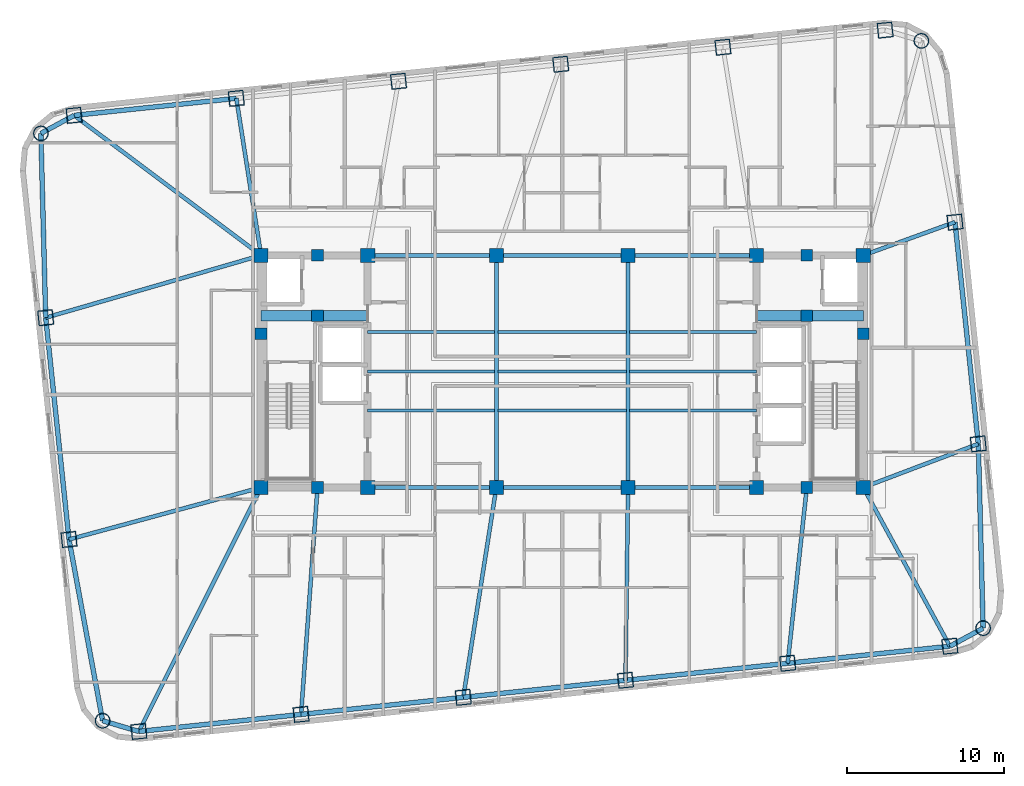
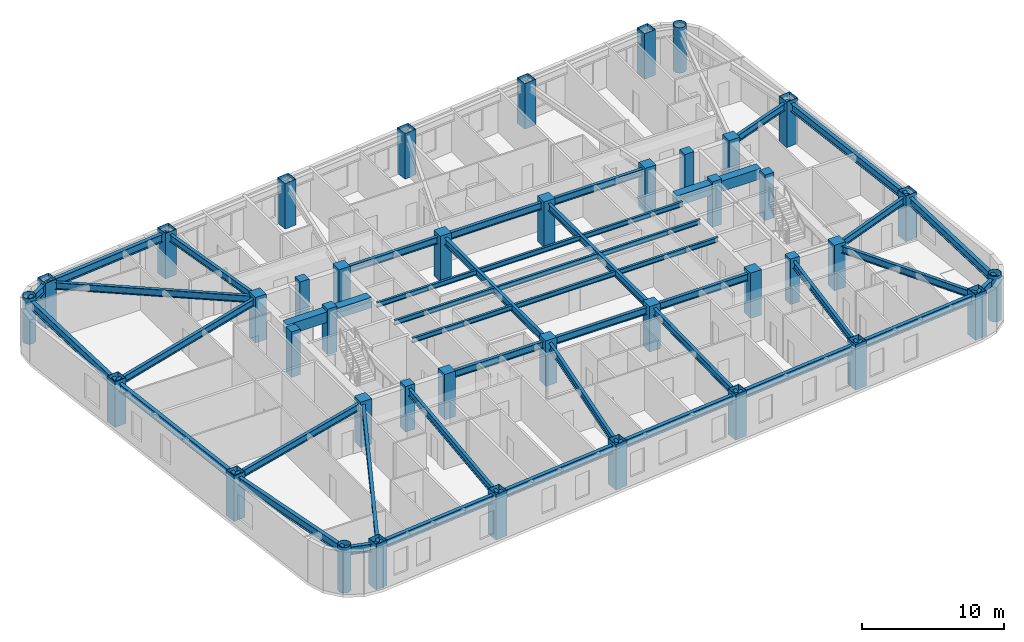
# One storey, part 1 of 12: 45 beams, 40 columns.
"""IFC4 building model written with IfcOpenShell, lengths in metres."""

from ifc_helpers import new_model, si_unit, direction, frame, origin, origin_2d, place, context, subcontext, project, spatial, rectangle, hollow_rectangle, hollow_circle, i_section, extrude, material, material_profile, profile_set, type_object, element, save


model = new_model("IFC4")

# Units and contexts
model_context = context("Model", 3, precision=1e-05, world=origin(), true_north=direction((0.0, 1.0)))
body_context = subcontext(model_context, "Body", "Model", "MODEL_VIEW")
ifc_project = project(units=[si_unit("LENGTHUNIT", "METRE"), si_unit("AREAUNIT", "SQUARE_METRE"), si_unit("VOLUMEUNIT", "CUBIC_METRE"), si_unit("PLANEANGLEUNIT", "RADIAN"), si_unit("MASSUNIT", "GRAM", prefix="KILO")], contexts=[model_context])

# Site, building, storey
site_placement = place(None, origin())
site = spatial("IfcSite", under=ifc_project, at=site_placement, CompositionType="ELEMENT")
building_placement = place(site_placement, origin())
building = spatial("IfcBuilding", under=site, at=building_placement, Name="Voryun Gate Residences", CompositionType="ELEMENT")
storey_placement = place(building_placement, frame((0.0, 0.0, 159.89990234375)))
storey = spatial("IfcBuildingStorey", under=building, at=storey_placement, Name="L39", CompositionType="ELEMENT", Elevation=159.89990234375)

# Columns
ifc_material_1 = material(Name="Concrete C50/60", Category="concrete")
ifc_material_profile_1 = material_profile(ifc_material_1, rectangle(XDim=0.75, YDim=0.75, at=origin_2d()), Name="RC-750x750")
ifc_profile_set_1 = profile_set([ifc_material_profile_1], Name="Concrete C50/60")
column_type_1 = type_object("IfcColumnType", Name="COL_CORE_750", PredefinedType="COLUMN", material=ifc_profile_set_1)
for number, where, z_axis, x_axis, name in (
    (1, (-19.199951171875, 2.39990234375, 0.0), (0.0, 0.0, 1.0), (1.0, 0.0, 0.0), "L39 Core boundary column WC-MW"),
    (2, (-15.60009765625, -7.39990234375, 0.0), (0.0, 0.0, 1.0), (1.0, 0.0, 0.0), "L39 Core boundary column WC-SM"),
    (3, (-15.60009765625, 7.39990234375, 0.0), (0.0, 0.0, 1.0), (1.0, 0.0, 0.0), "L39 Core boundary column WC-NM"),
    (4, (-15.60009765625, 3.550048828125, 0.0), (0.0, 0.0, 1.0), (1.0, 0.0, 0.0), "L39 Core boundary column WC-MM"),
    (5, (15.60009765625, 3.550048828125, 0.0), (0.0, 0.0, 1.0), (1.0, 0.0, 0.0), "L39 Core boundary column EC-MM"),
    (6, (15.60009765625, -7.39990234375, 0.0), (0.0, 0.0, 1.0), (1.0, 0.0, 0.0), "L39 Core boundary column EC-SM"),
    (7, (15.60009765625, 7.39990234375, 0.0), (0.0, 0.0, 1.0), (1.0, 0.0, 0.0), "L39 Core boundary column EC-NM"),
    (8, (19.199951171875, 2.39990234375, 0.0), (0.0, 0.0, 1.0), (1.0, 0.0, 0.0), "L39 Core boundary column EC-ME"),
):
    element("IfcColumn", number, at=place(storey_placement, frame(where, z_axis=z_axis, x_axis=x_axis)), inside=storey, type_object=column_type_1, Name=name, PredefinedType="COLUMN", context=body_context, shape_type="SweptSolid", body=[
        extrude(rectangle(XDim=0.75, YDim=0.75, at=origin_2d()), origin(), (0.0, 0.0, 1.0), 3.900146484375),
    ])
ifc_material_2 = material(Name="Concrete C50/60", Category="concrete")
ifc_material_profile_2 = material_profile(ifc_material_2, rectangle(XDim=0.89990234375, YDim=0.89990234375, at=origin_2d()), Name="RC-900x900")
ifc_profile_set_2 = profile_set([ifc_material_profile_2], Name="Concrete C50/60")
column_type_2 = type_object("IfcColumnType", Name="COL_CORE_900", PredefinedType="COLUMN", material=ifc_profile_set_2)
for number, where, z_axis, x_axis, name in (
    (9, (-19.199951171875, -7.39990234375, 0.0), (0.0, 0.0, 1.0), (1.0, 0.0, 0.0), "L39 Core boundary column WC-SW"),
    (10, (-19.199951171875, 7.39990234375, 0.0), (0.0, 0.0, 1.0), (1.0, 0.0, 0.0), "L39 Core boundary column WC-NW"),
    (11, (-12.39990234375, -7.39990234375, 0.0), (0.0, 0.0, 1.0), (1.0, 0.0, 0.0), "L39 Core boundary column WC-SE"),
    (12, (-12.39990234375, 7.39990234375, 0.0), (0.0, 0.0, 1.0), (1.0, 0.0, 0.0), "L39 Core boundary column WC-NE"),
    (13, (12.39990234375, -7.39990234375, 0.0), (0.0, 0.0, 1.0), (1.0, 0.0, 0.0), "L39 Core boundary column EC-SW"),
    (14, (12.39990234375, 7.39990234375, 0.0), (0.0, 0.0, 1.0), (1.0, 0.0, 0.0), "L39 Core boundary column EC-NW"),
    (15, (19.199951171875, -7.39990234375, 0.0), (0.0, 0.0, 1.0), (1.0, 0.0, 0.0), "L39 Core boundary column EC-SE"),
    (16, (19.199951171875, 7.39990234375, 0.0), (0.0, 0.0, 1.0), (1.0, 0.0, 0.0), "L39 Core boundary column EC-NE"),
    (17, (-4.199951171875, -7.39990234375, 0.0), (0.0, 0.0, 1.0), (1.0, 0.0, 0.0), "L39 Interior spine column SP-WS"),
    (18, (-4.199951171875, 7.39990234375, 0.0), (0.0, 0.0, 1.0), (1.0, 0.0, 0.0), "L39 Interior spine column SP-WN"),
    (19, (4.199951171875, -7.39990234375, 0.0), (0.0, 0.0, 1.0), (1.0, 0.0, 0.0), "L39 Interior spine column SP-ES"),
    (20, (4.199951171875, 7.39990234375, 0.0), (0.0, 0.0, 1.0), (1.0, 0.0, 0.0), "L39 Interior spine column SP-EN"),
):
    element("IfcColumn", number, at=place(storey_placement, frame(where, z_axis=z_axis, x_axis=x_axis)), inside=storey, type_object=column_type_2, Name=name, PredefinedType="COLUMN", context=body_context, shape_type="SweptSolid", body=[
        extrude(rectangle(XDim=0.89990234375, YDim=0.89990234375, at=origin_2d()), origin(), (0.0, 0.0, 1.0), 3.900146484375),
    ])
ifc_material_3 = material(Name="Steel SM420", Category="steel")
ifc_material_profile_3 = material_profile(ifc_material_3, hollow_circle(Radius=0.47509765625, WallThickness=0.031982421875, at=origin_2d()), Name="CHS-950x32")
ifc_profile_set_3 = profile_set([ifc_material_profile_3], Name="Steel SM420")
column_type_3 = type_object("IfcColumnType", Name="COL_CRN_950", PredefinedType="COLUMN", material=ifc_profile_set_3)
for number, where, z_axis, x_axis, name in (
    (21, (26.8408203125, -16.373779296875, 0.0), (0.0, 0.0, 1.0), (0.994521895368, 0.104528463268, 0.0), "L39 Exoskeleton column CSE"),
    (22, (22.90478515625, 21.07470703125, 0.0), (0.0, 0.0, 1.0), (0.994521895368, 0.104528463268, 0.0), "L39 Exoskeleton column CNE"),
    (23, (-33.24072265625, 15.173583984375, 0.0), (0.0, 0.0, 1.0), (0.994521895368, 0.104528463268, 0.0), "L39 Exoskeleton column CNW"),
    (24, (-29.3046875, -22.27490234375, 0.0), (0.0, 0.0, 1.0), (0.994521895368, 0.104528463268, 0.0), "L39 Exoskeleton column CSW"),
):
    element("IfcColumn", number, at=place(storey_placement, frame(where, z_axis=z_axis, x_axis=x_axis)), inside=storey, type_object=column_type_3, Name=name, PredefinedType="COLUMN", context=body_context, shape_type="SweptSolid", body=[
        extrude(hollow_circle(Radius=0.47509765625, WallThickness=0.031982421875, at=origin_2d()), origin(), (0.0, 0.0, 1.0), 3.900146484375),
    ])
ifc_material_4 = material(Name="Steel SM420", Category="steel")
ifc_material_profile_4 = material_profile(ifc_material_4, hollow_rectangle(XDim=0.949951171875, YDim=0.949951171875, WallThickness=0.031982421875, at=origin_2d()), Name="BOX-950x950x32")
ifc_profile_set_4 = profile_set([ifc_material_profile_4], Name="Steel SM420")
column_type_4 = type_object("IfcColumnType", Name="COL_EXO_B3", PredefinedType="COLUMN", material=ifc_profile_set_4)
for number, where, z_axis, x_axis, name in (
    (25, (-26.9931640625, -22.95947265625, 0.0), (0.0, 0.0, 1.0), (0.994521895368, 0.104528463268, 0.0), "L39 Exoskeleton column S1"),
    (26, (-16.650146484375, -21.87255859375, 0.0), (0.0, 0.0, 1.0), (0.994521895368, 0.104528463268, 0.0), "L39 Exoskeleton column S2"),
    (27, (-6.30712890625, -20.785400390625, 0.0), (0.0, 0.0, 1.0), (0.994521895368, 0.104528463268, 0.0), "L39 Exoskeleton column S3"),
    (28, (4.035888671875, -19.6982421875, 0.0), (0.0, 0.0, 1.0), (0.994521895368, 0.104528463268, 0.0), "L39 Exoskeleton column S4"),
    (29, (14.37890625, -18.611083984375, 0.0), (0.0, 0.0, 1.0), (0.994521895368, 0.104528463268, 0.0), "L39 Exoskeleton column S5"),
    (30, (24.721923828125, -17.524169921875, 0.0), (0.0, 0.0, 1.0), (0.994521895368, 0.104528463268, 0.0), "L39 Exoskeleton column S6"),
    (31, (26.533447265625, -4.6240234375, 0.0), (0.0, 0.0, 1.0), (0.994521895368, 0.104528463268, 0.0), "L39 Exoskeleton column E1"),
    (32, (25.047119140625, 9.51806640625, 0.0), (0.0, 0.0, 1.0), (0.994521895368, 0.104528463268, 0.0), "L39 Exoskeleton column E2"),
    (33, (20.593017578125, 21.759521484375, 0.0), (0.0, 0.0, 1.0), (0.994521895368, 0.104528463268, 0.0), "L39 Exoskeleton column N1"),
    (34, (10.25, 20.67236328125, 0.0), (0.0, 0.0, 1.0), (0.994521895368, 0.104528463268, 0.0), "L39 Exoskeleton column N2"),
    (35, (-0.093017578125, 19.58544921875, 0.0), (0.0, 0.0, 1.0), (0.994521895368, 0.104528463268, 0.0), "L39 Exoskeleton column N3"),
    (36, (-10.43603515625, 18.498291015625, 0.0), (0.0, 0.0, 1.0), (0.994521895368, 0.104528463268, 0.0), "L39 Exoskeleton column N4"),
    (37, (-20.779052734375, 17.4111328125, 0.0), (0.0, 0.0, 1.0), (0.994521895368, 0.104528463268, 0.0), "L39 Exoskeleton column N5"),
    (38, (-31.1220703125, 16.323974609375, 0.0), (0.0, 0.0, 1.0), (0.994521895368, 0.104528463268, 0.0), "L39 Exoskeleton column N6"),
    (39, (-32.93359375, 3.424072265625, 0.0), (0.0, 0.0, 1.0), (0.994521895368, 0.104528463268, 0.0), "L39 Exoskeleton column W1"),
    (40, (-31.447021484375, -10.718017578125, 0.0), (0.0, 0.0, 1.0), (0.994521895368, 0.104528463268, 0.0), "L39 Exoskeleton column W2"),
):
    element("IfcColumn", number, at=place(storey_placement, frame(where, z_axis=z_axis, x_axis=x_axis)), inside=storey, type_object=column_type_4, Name=name, PredefinedType="COLUMN", context=body_context, shape_type="SweptSolid", body=[
        extrude(hollow_rectangle(XDim=0.949951171875, YDim=0.949951171875, WallThickness=0.031982421875, at=origin_2d()), origin(), (0.0, 0.0, 1.0), 3.900146484375),
    ])

# Beams
ifc_material_5 = material(Name="Concrete C60/75", Category="concrete")
ifc_material_profile_5 = material_profile(ifc_material_5, rectangle(XDim=0.64990234375, YDim=0.89990234375, at=origin_2d()), Name="RC-650x900")
ifc_profile_set_5 = profile_set([ifc_material_profile_5], Name="Concrete C60/75")
beam_type_1 = type_object("IfcBeamType", Name="BM_COUP_RC900", PredefinedType="LINTEL", material=ifc_profile_set_5)
for number, where, z_axis, x_axis, name in (
    (41, (-19.199951171875, 3.550048828125, 3.2001953125), (1.0, 0.0, 0.0), (0.0, 1.0, 0.0), "BM-L39-WC1"),
    (42, (12.39990234375, 3.550048828125, 3.2001953125), (1.0, 0.0, 0.0), (0.0, 1.0, 0.0), "BM-L39-EC1"),
):
    element("IfcBeam", number, at=place(storey_placement, frame(where, z_axis=z_axis, x_axis=x_axis)), inside=storey, type_object=beam_type_1, Name=name, PredefinedType="LINTEL", context=body_context, shape_type="SweptSolid", body=[
        extrude(rectangle(XDim=0.64990234375, YDim=0.89990234375, at=origin_2d()), origin(), (0.0, 0.0, 1.0), 6.800048828125),
    ])
ifc_material_6 = material(Name="Steel SM355", Category="steel")
ifc_material_profile_6 = material_profile(ifc_material_6, i_section(OverallWidth=0.300048828125, OverallDepth=0.679931640625, WebThickness=0.013916015625, FlangeThickness=0.02490234375, FilletRadius=0.01806640625, at=origin_2d()), Name="H-680x300x14x25")
ifc_profile_set_6 = profile_set([ifc_material_profile_6], Name="Steel SM355")
beam_type_2 = type_object("IfcBeamType", Name="BM_EXO_SPANDREL_M", PredefinedType="SPANDREL", material=ifc_profile_set_6)
for number, where, z_axis, x_axis, name in (
    (43, (-26.9931640625, -22.95947265625, 3.31005859375), (0.99452370336, 0.10451125994, 0.0), (-0.10451125994, 0.99452370336, 0.0), "BM-L39-SPAND-01"),
    (44, (-16.650146484375, -21.87255859375, 3.31005859375), (0.994521263116, 0.104534478571, 0.0), (-0.104534478571, 0.994521263116, 0.0), "BM-L39-SPAND-02"),
    (45, (-6.30712890625, -20.785400390625, 3.31005859375), (0.994521263116, 0.104534478571, 0.0), (-0.104534478571, 0.994521263116, 0.0), "BM-L39-SPAND-03"),
    (46, (4.035888671875, -19.6982421875, 3.31005859375), (0.994521263116, 0.104534478571, 0.0), (-0.104534478571, 0.994521263116, 0.0), "BM-L39-SPAND-04"),
    (47, (14.37890625, -18.611083984375, 3.31005859375), (0.99452370336, 0.10451125994, 0.0), (-0.10451125994, 0.99452370336, 0.0), "BM-L39-SPAND-05"),
):
    element("IfcBeam", number, at=place(storey_placement, frame(where, z_axis=z_axis, x_axis=x_axis)), inside=storey, type_object=beam_type_2, Name=name, PredefinedType="SPANDREL", context=body_context, shape_type="SweptSolid", body=[
        extrude(i_section(OverallWidth=0.300048828125, OverallDepth=0.679931640625, WebThickness=0.013916015625, FlangeThickness=0.02490234375, FilletRadius=0.01806640625, at=origin_2d()), origin(), (0.0, 0.0, 1.0), 10.39990234375),
    ])
beam_1_placement = place(storey_placement, frame((24.721923828125, -17.524169921875, 3.31005859375), z_axis=(0.878830382314, 0.477134319791, 0.0), x_axis=(-0.477134319791, 0.878830382314, 0.0)))
element("IfcBeam", 48, at=beam_1_placement, inside=storey, type_object=beam_type_2, Name="BM-L39-SPAND-06", PredefinedType="SPANDREL", context=body_context, shape_type="SweptSolid", body=[
    extrude(i_section(OverallWidth=0.300048828125, OverallDepth=0.679931640625, WebThickness=0.013916015625, FlangeThickness=0.02490234375, FilletRadius=0.01806640625, at=origin_2d()), origin(), (0.0, 0.0, 1.0), 2.4111328125),
])
beam_2_placement = place(storey_placement, frame((26.8408203125, -16.373779296875, 3.31005859375), z_axis=(-0.026151005195, 0.999658003983, 0.0), x_axis=(-0.999658003983, -0.026151005195, 0.0)))
element("IfcBeam", 49, at=beam_2_placement, inside=storey, type_object=beam_type_2, Name="BM-L39-SPAND-07", PredefinedType="SPANDREL", context=body_context, shape_type="SweptSolid", body=[
    extrude(i_section(OverallWidth=0.300048828125, OverallDepth=0.679931640625, WebThickness=0.013916015625, FlangeThickness=0.02490234375, FilletRadius=0.01806640625, at=origin_2d()), origin(), (0.0, 0.0, 1.0), 11.753662109375),
])
beam_3_placement = place(storey_placement, frame((26.533447265625, -4.6240234375, 3.31005859375), z_axis=(-0.104523913446, 0.994522373563, 0.0), x_axis=(-0.994522373563, -0.104523913446, 0.0)))
element("IfcBeam", 50, at=beam_3_placement, inside=storey, type_object=beam_type_2, Name="BM-L39-SPAND-08", PredefinedType="SPANDREL", context=body_context, shape_type="SweptSolid", body=[
    extrude(i_section(OverallWidth=0.300048828125, OverallDepth=0.679931640625, WebThickness=0.013916015625, FlangeThickness=0.02490234375, FilletRadius=0.01806640625, at=origin_2d()), origin(), (0.0, 0.0, 1.0), 14.219970703125),
])
beam_4_placement = place(storey_placement, frame((-20.779052734375, 17.4111328125, 3.31005859375), z_axis=(-0.994521263116, -0.104534478571, 0.0), x_axis=(0.104534478571, -0.994521263116, 0.0)))
element("IfcBeam", 51, at=beam_4_placement, inside=storey, type_object=beam_type_2, Name="BM-L39-SPAND-15", PredefinedType="SPANDREL", context=body_context, shape_type="SweptSolid", body=[
    extrude(i_section(OverallWidth=0.300048828125, OverallDepth=0.679931640625, WebThickness=0.013916015625, FlangeThickness=0.02490234375, FilletRadius=0.01806640625, at=origin_2d()), origin(), (0.0, 0.0, 1.0), 10.39990234375),
])
beam_5_placement = place(storey_placement, frame((-31.1220703125, 16.323974609375, 3.31005859375), z_axis=(-0.878807326808, -0.47717678312, 0.0), x_axis=(0.47717678312, -0.878807326808, 0.0)))
element("IfcBeam", 52, at=beam_5_placement, inside=storey, type_object=beam_type_2, Name="BM-L39-SPAND-16", PredefinedType="SPANDREL", context=body_context, shape_type="SweptSolid", body=[
    extrude(i_section(OverallWidth=0.300048828125, OverallDepth=0.679931640625, WebThickness=0.013916015625, FlangeThickness=0.02490234375, FilletRadius=0.01806640625, at=origin_2d()), origin(), (0.0, 0.0, 1.0), 2.410888671875),
])
beam_6_placement = place(storey_placement, frame((-33.24072265625, 15.173583984375, 3.31005859375), z_axis=(0.026130790716, -0.999658532588, 0.0), x_axis=(0.999658532588, 0.026130790716, 0.0)))
element("IfcBeam", 53, at=beam_6_placement, inside=storey, type_object=beam_type_2, Name="BM-L39-SPAND-17", PredefinedType="SPANDREL", context=body_context, shape_type="SweptSolid", body=[
    extrude(i_section(OverallWidth=0.300048828125, OverallDepth=0.679931640625, WebThickness=0.013916015625, FlangeThickness=0.02490234375, FilletRadius=0.01806640625, at=origin_2d()), origin(), (0.0, 0.0, 1.0), 11.75341796875),
])
beam_7_placement = place(storey_placement, frame((-32.93359375, 3.424072265625, 3.31005859375), z_axis=(0.104540894669, -0.994520588697, 0.0), x_axis=(0.994520588697, 0.104540894669, 0.0)))
element("IfcBeam", 54, at=beam_7_placement, inside=storey, type_object=beam_type_2, Name="BM-L39-SPAND-18", PredefinedType="SPANDREL", context=body_context, shape_type="SweptSolid", body=[
    extrude(i_section(OverallWidth=0.300048828125, OverallDepth=0.679931640625, WebThickness=0.013916015625, FlangeThickness=0.02490234375, FilletRadius=0.01806640625, at=origin_2d()), origin(), (0.0, 0.0, 1.0), 14.219970703125),
])
beam_8_placement = place(storey_placement, frame((-31.447021484375, -10.718017578125, 3.31005859375), z_axis=(0.182267768769, -0.983248931079, 0.0), x_axis=(0.983248931079, 0.182267768769, 0.0)))
element("IfcBeam", 55, at=beam_8_placement, inside=storey, type_object=beam_type_2, Name="BM-L39-SPAND-19", PredefinedType="SPANDREL", context=body_context, shape_type="SweptSolid", body=[
    extrude(i_section(OverallWidth=0.300048828125, OverallDepth=0.679931640625, WebThickness=0.013916015625, FlangeThickness=0.02490234375, FilletRadius=0.01806640625, at=origin_2d()), origin(), (0.0, 0.0, 1.0), 11.753662109375),
])
beam_9_placement = place(storey_placement, frame((-29.3046875, -22.27490234375, 3.31005859375), z_axis=(0.958834884093, -0.283964196768, 0.0), x_axis=(0.283964196768, 0.958834884093, 0.0)))
element("IfcBeam", 56, at=beam_9_placement, inside=storey, type_object=beam_type_2, Name="BM-L39-SPAND-20", PredefinedType="SPANDREL", context=body_context, shape_type="SweptSolid", body=[
    extrude(i_section(OverallWidth=0.300048828125, OverallDepth=0.679931640625, WebThickness=0.013916015625, FlangeThickness=0.02490234375, FilletRadius=0.01806640625, at=origin_2d()), origin(), (0.0, 0.0, 1.0), 2.41064453125),
])
ifc_material_7 = material(Name="Steel SM355", Category="steel")
ifc_material_profile_7 = material_profile(ifc_material_7, i_section(OverallWidth=0.25, OverallDepth=0.60009765625, WebThickness=0.011962890625, FlangeThickness=0.02197265625, FilletRadius=0.01806640625, at=origin_2d()), Name="H-600x250x12x22")
ifc_profile_set_7 = profile_set([ifc_material_profile_7], Name="Steel SM355")
beam_type_3 = type_object("IfcBeamType", Name="BM_GIRD_600", PredefinedType="USERDEFINED", material=ifc_profile_set_7)
beam_10_placement = place(storey_placement, frame((-12.39990234375, -7.39990234375, 3.35009765625), z_axis=(1.0, 0.0, 0.0), x_axis=(0.0, 1.0, 0.0)))
element("IfcBeam", 57, at=beam_10_placement, inside=storey, type_object=beam_type_3, Name="BM-L39-SPG1-S", ObjectType="GIRDER", PredefinedType="USERDEFINED", context=body_context, shape_type="SweptSolid", body=[
    extrude(i_section(OverallWidth=0.25, OverallDepth=0.60009765625, WebThickness=0.011962890625, FlangeThickness=0.02197265625, FilletRadius=0.01806640625, at=origin_2d()), origin(), (0.0, 0.0, 1.0), 8.199951171875),
])
beam_11_placement = place(storey_placement, frame((-4.199951171875, -7.39990234375, 3.35009765625), z_axis=(1.0, 0.0, 0.0), x_axis=(0.0, 1.0, 0.0)))
element("IfcBeam", 58, at=beam_11_placement, inside=storey, type_object=beam_type_3, Name="BM-L39-SPG2-S", ObjectType="GIRDER", PredefinedType="USERDEFINED", context=body_context, shape_type="SweptSolid", body=[
    extrude(i_section(OverallWidth=0.25, OverallDepth=0.60009765625, WebThickness=0.011962890625, FlangeThickness=0.02197265625, FilletRadius=0.01806640625, at=origin_2d()), origin(), (0.0, 0.0, 1.0), 8.39990234375),
])
for number, where, z_axis, x_axis, name in (
    (59, (4.199951171875, -7.39990234375, 3.35009765625), (1.0, 0.0, 0.0), (0.0, 1.0, 0.0), "BM-L39-SPG3-S"),
    (60, (-12.39990234375, 7.39990234375, 3.35009765625), (1.0, 0.0, 0.0), (0.0, 1.0, 0.0), "BM-L39-SPG1-N"),
):
    element("IfcBeam", number, at=place(storey_placement, frame(where, z_axis=z_axis, x_axis=x_axis)), inside=storey, type_object=beam_type_3, Name=name, ObjectType="GIRDER", PredefinedType="USERDEFINED", context=body_context, shape_type="SweptSolid", body=[
        extrude(i_section(OverallWidth=0.25, OverallDepth=0.60009765625, WebThickness=0.011962890625, FlangeThickness=0.02197265625, FilletRadius=0.01806640625, at=origin_2d()), origin(), (0.0, 0.0, 1.0), 8.199951171875),
    ])
beam_12_placement = place(storey_placement, frame((-4.199951171875, 7.39990234375, 3.35009765625), z_axis=(1.0, 0.0, 0.0), x_axis=(0.0, 1.0, 0.0)))
element("IfcBeam", 61, at=beam_12_placement, inside=storey, type_object=beam_type_3, Name="BM-L39-SPG2-N", ObjectType="GIRDER", PredefinedType="USERDEFINED", context=body_context, shape_type="SweptSolid", body=[
    extrude(i_section(OverallWidth=0.25, OverallDepth=0.60009765625, WebThickness=0.011962890625, FlangeThickness=0.02197265625, FilletRadius=0.01806640625, at=origin_2d()), origin(), (0.0, 0.0, 1.0), 8.39990234375),
])
beam_13_placement = place(storey_placement, frame((4.199951171875, 7.39990234375, 3.35009765625), z_axis=(1.0, 0.0, 0.0), x_axis=(0.0, 1.0, 0.0)))
element("IfcBeam", 62, at=beam_13_placement, inside=storey, type_object=beam_type_3, Name="BM-L39-SPG3-N", ObjectType="GIRDER", PredefinedType="USERDEFINED", context=body_context, shape_type="SweptSolid", body=[
    extrude(i_section(OverallWidth=0.25, OverallDepth=0.60009765625, WebThickness=0.011962890625, FlangeThickness=0.02197265625, FilletRadius=0.01806640625, at=origin_2d()), origin(), (0.0, 0.0, 1.0), 8.199951171875),
])
for number, where, z_axis, x_axis, name in (
    (63, (-4.199951171875, -7.39990234375, 3.35009765625), (0.0, 1.0, 0.0), (-1.0, 0.0, 0.0), "BM-L39-SPX-W"),
    (64, (4.199951171875, -7.39990234375, 3.35009765625), (0.0, 1.0, 0.0), (-1.0, 0.0, 0.0), "BM-L39-SPX-E"),
):
    element("IfcBeam", number, at=place(storey_placement, frame(where, z_axis=z_axis, x_axis=x_axis)), inside=storey, type_object=beam_type_3, Name=name, ObjectType="GIRDER", PredefinedType="USERDEFINED", context=body_context, shape_type="SweptSolid", body=[
        extrude(i_section(OverallWidth=0.25, OverallDepth=0.60009765625, WebThickness=0.011962890625, FlangeThickness=0.02197265625, FilletRadius=0.01806640625, at=origin_2d()), origin(), (0.0, 0.0, 1.0), 14.7998046875),
    ])
beam_14_placement = place(storey_placement, frame((-19.199951171875, -7.39990234375, 3.35009765625), z_axis=(-0.447830780254, -0.894118332357, 0.0), x_axis=(0.894118332357, -0.447830780254, 0.0)))
element("IfcBeam", 65, at=beam_14_placement, inside=storey, type_object=beam_type_3, Name="BM-L39-RAD-S1", ObjectType="GIRDER", PredefinedType="USERDEFINED", context=body_context, shape_type="SweptSolid", body=[
    extrude(i_section(OverallWidth=0.25, OverallDepth=0.60009765625, WebThickness=0.011962890625, FlangeThickness=0.02197265625, FilletRadius=0.01806640625, at=origin_2d()), origin(), (0.0, 0.0, 1.0), 17.402099609375),
])
beam_15_placement = place(storey_placement, frame((-15.60009765625, -7.39990234375, 3.35009765625), z_axis=(-0.072363766769, -0.99737830599, 0.0), x_axis=(0.99737830599, -0.072363766769, 0.0)))
element("IfcBeam", 66, at=beam_15_placement, inside=storey, type_object=beam_type_3, Name="BM-L39-RAD-S2", ObjectType="GIRDER", PredefinedType="USERDEFINED", context=body_context, shape_type="SweptSolid", body=[
    extrude(i_section(OverallWidth=0.25, OverallDepth=0.60009765625, WebThickness=0.011962890625, FlangeThickness=0.02197265625, FilletRadius=0.01806640625, at=origin_2d()), origin(), (0.0, 0.0, 1.0), 14.5107421875),
])
beam_16_placement = place(storey_placement, frame((-4.199951171875, -7.39990234375, 3.35009765625), z_axis=(-0.155507352157, -0.987834734875, 0.0), x_axis=(0.987834734875, -0.155507352157, 0.0)))
element("IfcBeam", 67, at=beam_16_placement, inside=storey, type_object=beam_type_3, Name="BM-L39-RAD-S3", ObjectType="GIRDER", PredefinedType="USERDEFINED", context=body_context, shape_type="SweptSolid", body=[
    extrude(i_section(OverallWidth=0.25, OverallDepth=0.60009765625, WebThickness=0.011962890625, FlangeThickness=0.02197265625, FilletRadius=0.01806640625, at=origin_2d()), origin(), (0.0, 0.0, 1.0), 13.55029296875),
])
beam_17_placement = place(storey_placement, frame((4.199951171875, -7.39990234375, 3.35009765625), z_axis=(-0.013339028327, -0.999911031204, 0.0), x_axis=(0.999911031204, -0.013339028327, 0.0)))
element("IfcBeam", 68, at=beam_17_placement, inside=storey, type_object=beam_type_3, Name="BM-L39-RAD-S4", ObjectType="GIRDER", PredefinedType="USERDEFINED", context=body_context, shape_type="SweptSolid", body=[
    extrude(i_section(OverallWidth=0.25, OverallDepth=0.60009765625, WebThickness=0.011962890625, FlangeThickness=0.02197265625, FilletRadius=0.01806640625, at=origin_2d()), origin(), (0.0, 0.0, 1.0), 12.29931640625),
])
beam_18_placement = place(storey_placement, frame((15.60009765625, -7.39990234375, 3.35009765625), z_axis=(-0.108285693252, -0.994119816037, 0.0), x_axis=(0.994119816037, -0.108285693252, 0.0)))
element("IfcBeam", 69, at=beam_18_placement, inside=storey, type_object=beam_type_3, Name="BM-L39-RAD-S5", ObjectType="GIRDER", PredefinedType="USERDEFINED", context=body_context, shape_type="SweptSolid", body=[
    extrude(i_section(OverallWidth=0.25, OverallDepth=0.60009765625, WebThickness=0.011962890625, FlangeThickness=0.02197265625, FilletRadius=0.01806640625, at=origin_2d()), origin(), (0.0, 0.0, 1.0), 11.277587890625),
])
beam_19_placement = place(storey_placement, frame((19.199951171875, -7.39990234375, 3.35009765625), z_axis=(0.478828398266, -0.877908517451, 0.0), x_axis=(0.877908517451, 0.478828398266, 0.0)))
element("IfcBeam", 70, at=beam_19_placement, inside=storey, type_object=beam_type_3, Name="BM-L39-RAD-S6", ObjectType="GIRDER", PredefinedType="USERDEFINED", context=body_context, shape_type="SweptSolid", body=[
    extrude(i_section(OverallWidth=0.25, OverallDepth=0.60009765625, WebThickness=0.011962890625, FlangeThickness=0.02197265625, FilletRadius=0.01806640625, at=origin_2d()), origin(), (0.0, 0.0, 1.0), 11.5322265625),
])
beam_20_placement = place(storey_placement, frame((19.199951171875, -7.39990234375, 3.35009765625), z_axis=(0.93524224301, 0.354008399462, 0.0), x_axis=(-0.354008399462, 0.93524224301, 0.0)))
element("IfcBeam", 71, at=beam_20_placement, inside=storey, type_object=beam_type_3, Name="BM-L39-RAD-E1", ObjectType="GIRDER", PredefinedType="USERDEFINED", context=body_context, shape_type="SweptSolid", body=[
    extrude(i_section(OverallWidth=0.25, OverallDepth=0.60009765625, WebThickness=0.011962890625, FlangeThickness=0.02197265625, FilletRadius=0.01806640625, at=origin_2d()), origin(), (0.0, 0.0, 1.0), 7.84130859375),
])
beam_21_placement = place(storey_placement, frame((19.199951171875, 7.39990234375, 3.35009765625), z_axis=(0.94020993833, 0.340595466595, 0.0), x_axis=(-0.340595466595, 0.94020993833, 0.0)))
element("IfcBeam", 72, at=beam_21_placement, inside=storey, type_object=beam_type_3, Name="BM-L39-RAD-E2", ObjectType="GIRDER", PredefinedType="USERDEFINED", context=body_context, shape_type="SweptSolid", body=[
    extrude(i_section(OverallWidth=0.25, OverallDepth=0.60009765625, WebThickness=0.011962890625, FlangeThickness=0.02197265625, FilletRadius=0.01806640625, at=origin_2d()), origin(), (0.0, 0.0, 1.0), 6.218994140625),
])
beam_22_placement = place(storey_placement, frame((-19.199951171875, 7.39990234375, 3.35009765625), z_axis=(-0.155806710133, 0.987787562727, 0.0), x_axis=(-0.987787562727, -0.155806710133, 0.0)))
element("IfcBeam", 73, at=beam_22_placement, inside=storey, type_object=beam_type_3, Name="BM-L39-RAD-N5", ObjectType="GIRDER", PredefinedType="USERDEFINED", context=body_context, shape_type="SweptSolid", body=[
    extrude(i_section(OverallWidth=0.25, OverallDepth=0.60009765625, WebThickness=0.011962890625, FlangeThickness=0.02197265625, FilletRadius=0.01806640625, at=origin_2d()), origin(), (0.0, 0.0, 1.0), 10.135009765625),
])
beam_23_placement = place(storey_placement, frame((-19.199951171875, 7.39990234375, 3.35009765625), z_axis=(-0.800564252374, 0.599246925583, 0.0), x_axis=(-0.599246925583, -0.800564252374, 0.0)))
element("IfcBeam", 74, at=beam_23_placement, inside=storey, type_object=beam_type_3, Name="BM-L39-RAD-N6", ObjectType="GIRDER", PredefinedType="USERDEFINED", context=body_context, shape_type="SweptSolid", body=[
    extrude(i_section(OverallWidth=0.25, OverallDepth=0.60009765625, WebThickness=0.011962890625, FlangeThickness=0.02197265625, FilletRadius=0.01806640625, at=origin_2d()), origin(), (0.0, 0.0, 1.0), 14.89208984375),
])
beam_24_placement = place(storey_placement, frame((-19.199951171875, 7.39990234375, 3.35009765625), z_axis=(-0.960558623239, -0.278077563498, 0.0), x_axis=(0.278077563498, -0.960558623239, 0.0)))
element("IfcBeam", 75, at=beam_24_placement, inside=storey, type_object=beam_type_3, Name="BM-L39-RAD-W1", ObjectType="GIRDER", PredefinedType="USERDEFINED", context=body_context, shape_type="SweptSolid", body=[
    extrude(i_section(OverallWidth=0.25, OverallDepth=0.60009765625, WebThickness=0.011962890625, FlangeThickness=0.02197265625, FilletRadius=0.01806640625, at=origin_2d()), origin(), (0.0, 0.0, 1.0), 14.297607421875),
])
beam_25_placement = place(storey_placement, frame((-19.199951171875, -7.39990234375, 3.35009765625), z_axis=(-0.965202497616, -0.261503611058, 0.0), x_axis=(0.261503611058, -0.965202497616, 0.0)))
element("IfcBeam", 76, at=beam_25_placement, inside=storey, type_object=beam_type_3, Name="BM-L39-RAD-W2", ObjectType="GIRDER", PredefinedType="USERDEFINED", context=body_context, shape_type="SweptSolid", body=[
    extrude(i_section(OverallWidth=0.25, OverallDepth=0.60009765625, WebThickness=0.011962890625, FlangeThickness=0.02197265625, FilletRadius=0.01806640625, at=origin_2d()), origin(), (0.0, 0.0, 1.0), 12.688720703125),
])
ifc_material_8 = material(Name="Steel SM355", Category="steel")
ifc_material_profile_8 = material_profile(ifc_material_8, i_section(OverallWidth=0.18994140625, OverallDepth=0.419921875, WebThickness=0.009033203125, FlangeThickness=0.01611328125, FilletRadius=0.01806640625, at=origin_2d()), Name="H-420x190x9x16")
ifc_profile_set_8 = profile_set([ifc_material_profile_8], Name="Steel SM355")
beam_type_4 = type_object("IfcBeamType", Name="BM_SEC_420", PredefinedType="BEAM", material=ifc_profile_set_8)
beam_26_placement = place(storey_placement, frame((-12.39990234375, -2.5, 3.440185546875), z_axis=(1.0, 0.0, 0.0), x_axis=(0.0, 1.0, 0.0)))
element("IfcBeam", 77, at=beam_26_placement, inside=storey, type_object=beam_type_4, Name="BM-L39-SEC-CS1", PredefinedType="BEAM", context=body_context, shape_type="SweptSolid", body=[
    extrude(i_section(OverallWidth=0.18994140625, OverallDepth=0.419921875, WebThickness=0.009033203125, FlangeThickness=0.01611328125, FilletRadius=0.01806640625, at=origin_2d()), origin(), (0.0, 0.0, 1.0), 8.099853515625),
])
beam_27_placement = place(storey_placement, frame((-4.10009765625, -2.5, 3.440185546875), z_axis=(1.0, 0.0, 0.0), x_axis=(0.0, 1.0, 0.0)))
element("IfcBeam", 78, at=beam_27_placement, inside=storey, type_object=beam_type_4, Name="BM-L39-SEC-CS2", PredefinedType="BEAM", context=body_context, shape_type="SweptSolid", body=[
    extrude(i_section(OverallWidth=0.18994140625, OverallDepth=0.419921875, WebThickness=0.009033203125, FlangeThickness=0.01611328125, FilletRadius=0.01806640625, at=origin_2d()), origin(), (0.0, 0.0, 1.0), 8.2001953125),
])
for number, where, z_axis, x_axis, name in (
    (79, (4.300048828125, -2.5, 3.440185546875), (1.0, 0.0, 0.0), (0.0, 1.0, 0.0), "BM-L39-SEC-CS3"),
    (80, (-12.39990234375, 0.0, 3.440185546875), (1.0, 0.0, 0.0), (0.0, 1.0, 0.0), "BM-L39-SEC-CM1"),
):
    element("IfcBeam", number, at=place(storey_placement, frame(where, z_axis=z_axis, x_axis=x_axis)), inside=storey, type_object=beam_type_4, Name=name, PredefinedType="BEAM", context=body_context, shape_type="SweptSolid", body=[
        extrude(i_section(OverallWidth=0.18994140625, OverallDepth=0.419921875, WebThickness=0.009033203125, FlangeThickness=0.01611328125, FilletRadius=0.01806640625, at=origin_2d()), origin(), (0.0, 0.0, 1.0), 8.099853515625),
    ])
beam_28_placement = place(storey_placement, frame((-4.10009765625, 0.0, 3.440185546875), z_axis=(1.0, 0.0, 0.0), x_axis=(0.0, 1.0, 0.0)))
element("IfcBeam", 81, at=beam_28_placement, inside=storey, type_object=beam_type_4, Name="BM-L39-SEC-CM2", PredefinedType="BEAM", context=body_context, shape_type="SweptSolid", body=[
    extrude(i_section(OverallWidth=0.18994140625, OverallDepth=0.419921875, WebThickness=0.009033203125, FlangeThickness=0.01611328125, FilletRadius=0.01806640625, at=origin_2d()), origin(), (0.0, 0.0, 1.0), 8.2001953125),
])
for number, where, z_axis, x_axis, name in (
    (82, (4.300048828125, 0.0, 3.440185546875), (1.0, 0.0, 0.0), (0.0, 1.0, 0.0), "BM-L39-SEC-CM3"),
    (83, (-12.39990234375, 2.5, 3.440185546875), (1.0, 0.0, 0.0), (0.0, 1.0, 0.0), "BM-L39-SEC-CN1"),
):
    element("IfcBeam", number, at=place(storey_placement, frame(where, z_axis=z_axis, x_axis=x_axis)), inside=storey, type_object=beam_type_4, Name=name, PredefinedType="BEAM", context=body_context, shape_type="SweptSolid", body=[
        extrude(i_section(OverallWidth=0.18994140625, OverallDepth=0.419921875, WebThickness=0.009033203125, FlangeThickness=0.01611328125, FilletRadius=0.01806640625, at=origin_2d()), origin(), (0.0, 0.0, 1.0), 8.099853515625),
    ])
beam_29_placement = place(storey_placement, frame((-4.10009765625, 2.5, 3.440185546875), z_axis=(1.0, 0.0, 0.0), x_axis=(0.0, 1.0, 0.0)))
element("IfcBeam", 84, at=beam_29_placement, inside=storey, type_object=beam_type_4, Name="BM-L39-SEC-CN2", PredefinedType="BEAM", context=body_context, shape_type="SweptSolid", body=[
    extrude(i_section(OverallWidth=0.18994140625, OverallDepth=0.419921875, WebThickness=0.009033203125, FlangeThickness=0.01611328125, FilletRadius=0.01806640625, at=origin_2d()), origin(), (0.0, 0.0, 1.0), 8.2001953125),
])
beam_30_placement = place(storey_placement, frame((4.300048828125, 2.5, 3.440185546875), z_axis=(1.0, 0.0, 0.0), x_axis=(0.0, 1.0, 0.0)))
element("IfcBeam", 85, at=beam_30_placement, inside=storey, type_object=beam_type_4, Name="BM-L39-SEC-CN3", PredefinedType="BEAM", context=body_context, shape_type="SweptSolid", body=[
    extrude(i_section(OverallWidth=0.18994140625, OverallDepth=0.419921875, WebThickness=0.009033203125, FlangeThickness=0.01611328125, FilletRadius=0.01806640625, at=origin_2d()), origin(), (0.0, 0.0, 1.0), 8.099853515625),
])

save(model, "model.ifc")
